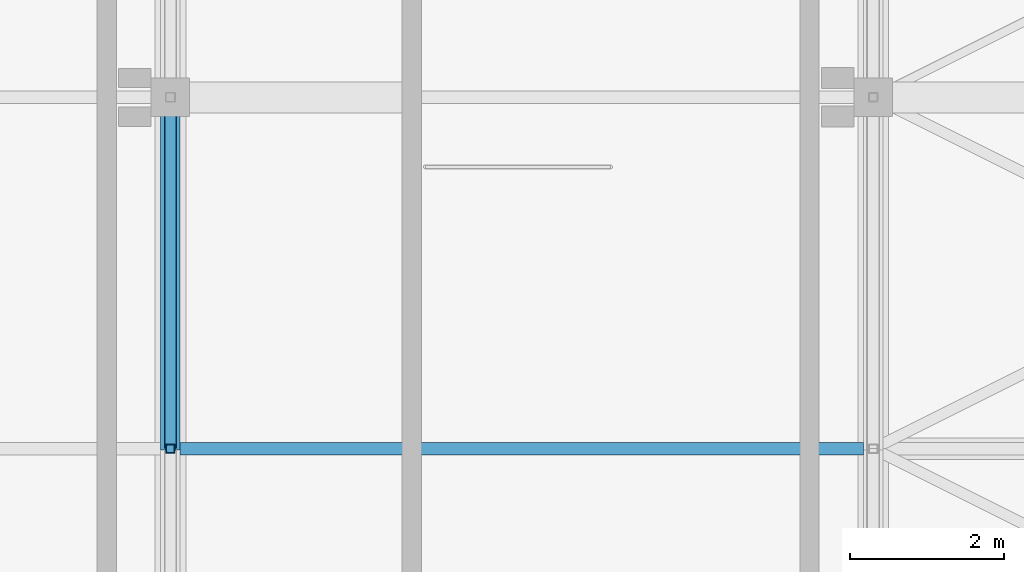
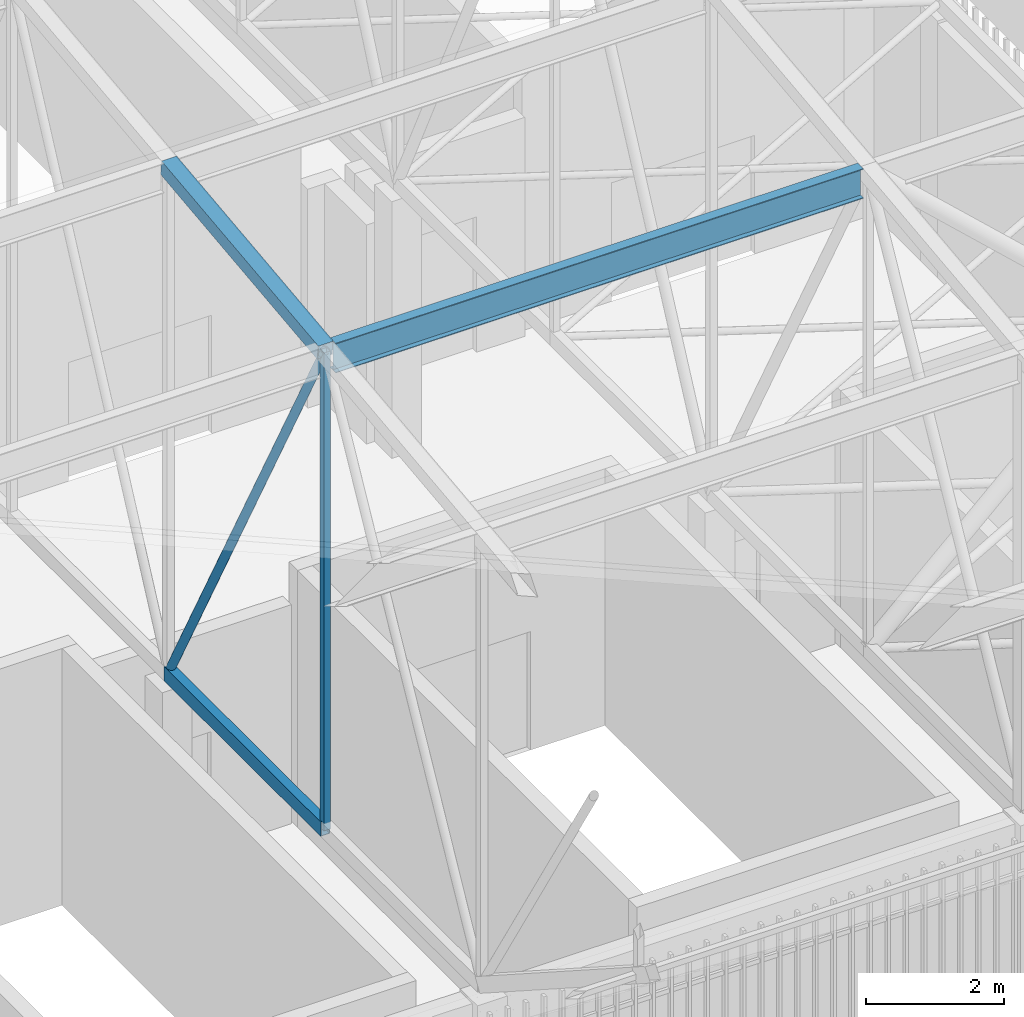
# One storey, part 329 of 500: 5 members.
"""IFC4 building model written with IfcOpenShell, lengths in metres."""

from ifc_helpers import new_model, si_unit, direction, frame, origin, origin_2d, place, context, subcontext, project, spatial, hollow_rectangle, hollow_circle, i_section, extrude, material, material_profile, profile_set, type_object, element, save


model = new_model("IFC4")

# Units and contexts
model_context = context("Model", 3, precision=1e-05, world=origin(), true_north=direction((0.0, 1.0)))
body_context = subcontext(model_context, "Body", "Model", "MODEL_VIEW")
ifc_project = project(units=[si_unit("LENGTHUNIT", "METRE"), si_unit("AREAUNIT", "SQUARE_METRE"), si_unit("VOLUMEUNIT", "CUBIC_METRE"), si_unit("PLANEANGLEUNIT", "RADIAN"), si_unit("MASSUNIT", "GRAM", prefix="KILO")], contexts=[model_context])

# Site, building, storey
site_placement = place(None, origin())
site = spatial("IfcSite", under=ifc_project, at=site_placement, CompositionType="ELEMENT")
building_placement = place(site_placement, origin())
building = spatial("IfcBuilding", under=site, at=building_placement, Name="Shirokan Park Arena", CompositionType="ELEMENT")
storey_placement = place(building_placement, frame((0.0, 0.0, 29.1201171875)))
storey = spatial("IfcBuildingStorey", under=building, at=storey_placement, Name="L06", CompositionType="ELEMENT", Elevation=29.1201171875)

# Members
ifc_material_1 = material(Name="Steel ASTM A500 Grade C", Category="steel")
ifc_material_profile_1 = material_profile(ifc_material_1, hollow_rectangle(XDim=0.152099609375, YDim=0.25390625, WallThickness=0.009521484375, at=origin_2d()), Name="HSS254X152.4X9.5")
ifc_profile_set_1 = profile_set([ifc_material_profile_1], Name="Steel ASTM A500 Grade C")
member_type_1 = type_object("IfcMemberType", Name="Bottom chord HSS254X152.4X9.5", PredefinedType="CHORD", material=ifc_profile_set_1)
member_1_placement = place(storey_placement, frame((127.39990234375, 4.550048828125, 4.677001953125), z_axis=(0.0, 1.0, 0.0), x_axis=(-1.0, 0.0, 0.0)))
element("IfcMember", 1, at=member_1_placement, inside=storey, type_object=member_type_1, Name="Truss T15 bottom chord 4", PredefinedType="CHORD", context=body_context, shape_type="SweptSolid", body=[
    extrude(hollow_rectangle(XDim=0.152099609375, YDim=0.25390625, WallThickness=0.009521484375, at=origin_2d()), origin(), (0.0, 0.0, 1.0), 4.550048828125),
])
ifc_material_2 = material(Name="Steel ASTM A992", Category="steel")
ifc_material_profile_2 = material_profile(ifc_material_2, i_section(OverallWidth=0.166015625, OverallDepth=0.528076171875, WebThickness=0.009765625, FlangeThickness=0.013671875, at=origin_2d()), Name="W530X74")
ifc_profile_set_2 = profile_set([ifc_material_profile_2], Name="Steel ASTM A992")
member_type_2 = type_object("IfcMemberType", Name="Purlin W530X74", PredefinedType="PURLIN", material=ifc_profile_set_2)
member_2_placement = place(storey_placement, frame((127.527099609375, 4.550048828125, 13.005859375), z_axis=(1.0, 0.0, 0.0), x_axis=(0.0, 1.0, 0.0)))
element("IfcMember", 2, at=member_2_placement, inside=storey, type_object=member_type_2, Name="Purlin 4 bay 15", PredefinedType="PURLIN", context=body_context, shape_type="SweptSolid", body=[
    extrude(i_section(OverallWidth=0.166015625, OverallDepth=0.528076171875, WebThickness=0.009765625, FlangeThickness=0.013671875, at=origin_2d()), origin(), (0.0, 0.0, 1.0), 8.845947265625),
])
ifc_material_profile_3 = material_profile(ifc_material_1, hollow_rectangle(XDim=0.25390625, YDim=0.25390625, WallThickness=0.009521484375, at=origin_2d()), Name="HSS254X254X9.5")
ifc_profile_set_3 = profile_set([ifc_material_profile_3], Name="Steel ASTM A500 Grade C")
member_type_3 = type_object("IfcMemberType", Name="Top chord HSS254X254X9.5", PredefinedType="CHORD", material=ifc_profile_set_3)
member_3_placement = place(storey_placement, frame((127.39990234375, 4.550048828125, 13.142822265625), z_axis=(0.0, 0.993532328996, 0.113549598152), x_axis=(-1.0, 0.0, 0.0)))
element("IfcMember", 3, at=member_3_placement, inside=storey, type_object=member_type_3, Name="Truss T15 top chord 4", PredefinedType="CHORD", context=body_context, shape_type="SweptSolid", body=[
    extrude(hollow_rectangle(XDim=0.25390625, YDim=0.25390625, WallThickness=0.009521484375, at=origin_2d()), origin(), (0.0, 0.0, 1.0), 4.57958984375),
])
ifc_material_profile_4 = material_profile(ifc_material_1, hollow_circle(Radius=0.070556640625, WallThickness=0.006591796875, at=origin_2d()), Name="HSS141.3X6.6")
ifc_profile_set_4 = profile_set([ifc_material_profile_4], Name="Steel ASTM A500 Grade C")
member_type_4 = type_object("IfcMemberType", Name="Truss diagonal HSS141.3X6.6", PredefinedType="BRACE", material=ifc_profile_set_4)
member_4_placement = place(storey_placement, frame((127.39990234375, 4.550048828125, 13.142822265625), z_axis=(0.0, 0.473416507165, -0.880838697347), x_axis=(-1.0, 0.0, 0.0)))
element("IfcMember", 4, at=member_4_placement, inside=storey, type_object=member_type_4, Name="Truss T15 diagonal 4", PredefinedType="BRACE", context=body_context, shape_type="SweptSolid", body=[
    extrude(hollow_circle(Radius=0.070556640625, WallThickness=0.006591796875, at=origin_2d()), origin(), (0.0, 0.0, 1.0), 9.611083984375),
])
ifc_material_profile_5 = material_profile(ifc_material_1, hollow_rectangle(XDim=0.114013671875, YDim=0.114013671875, WallThickness=0.00634765625, at=origin_2d()), Name="HSS114.3X114.3X6.4")
ifc_profile_set_5 = profile_set([ifc_material_profile_5], Name="Steel ASTM A500 Grade C")
member_type_5 = type_object("IfcMemberType", Name="Truss post HSS114.3X114.3X6.4", PredefinedType="POST", material=ifc_profile_set_5)
member_5_placement = place(storey_placement, frame((127.39990234375, 4.550048828125, 4.677001953125), z_axis=(0.0, 0.0, 1.0), x_axis=(1.0, 0.0, 0.0)))
element("IfcMember", 5, at=member_5_placement, inside=storey, type_object=member_type_5, Name="Truss T15 post 4", PredefinedType="POST", context=body_context, shape_type="SweptSolid", body=[
    extrude(hollow_rectangle(XDim=0.114013671875, YDim=0.114013671875, WallThickness=0.00634765625, at=origin_2d()), origin(), (0.0, 0.0, 1.0), 8.4658203125),
])

save(model, "model.ifc")
